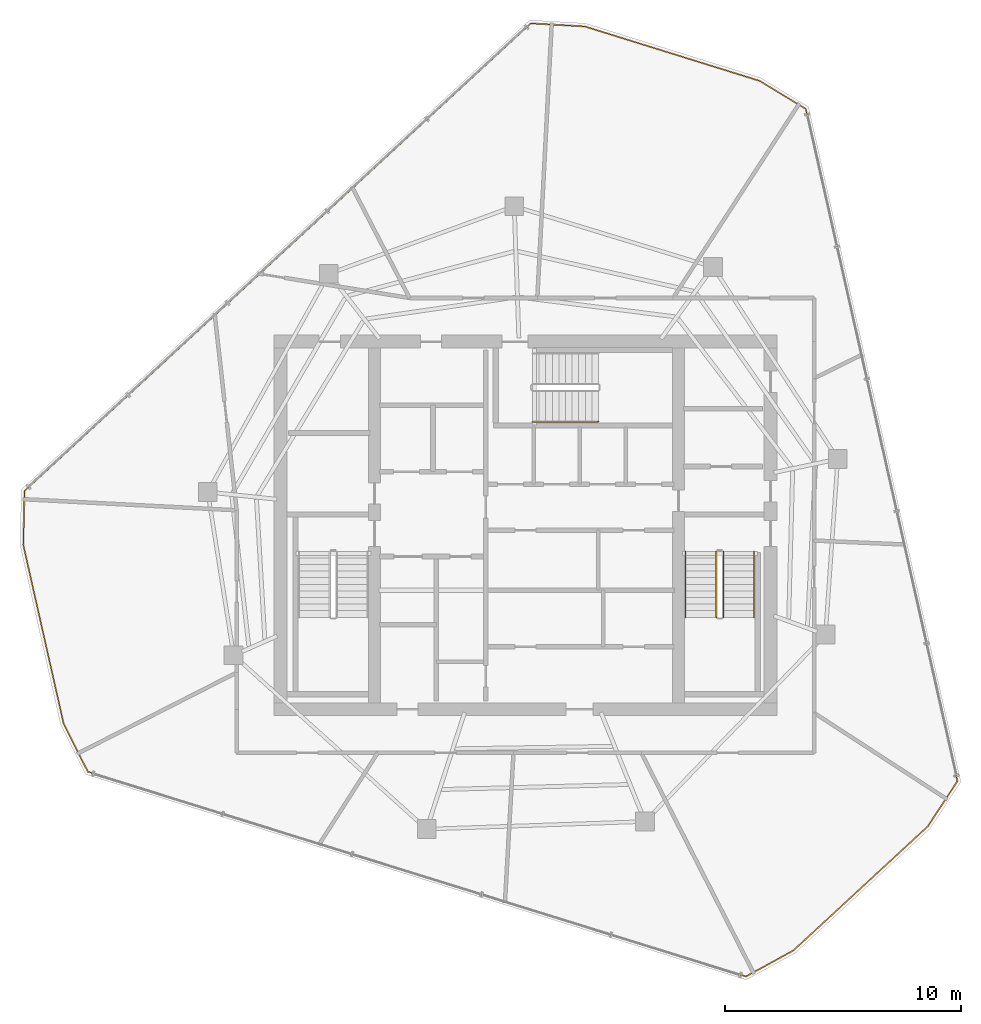
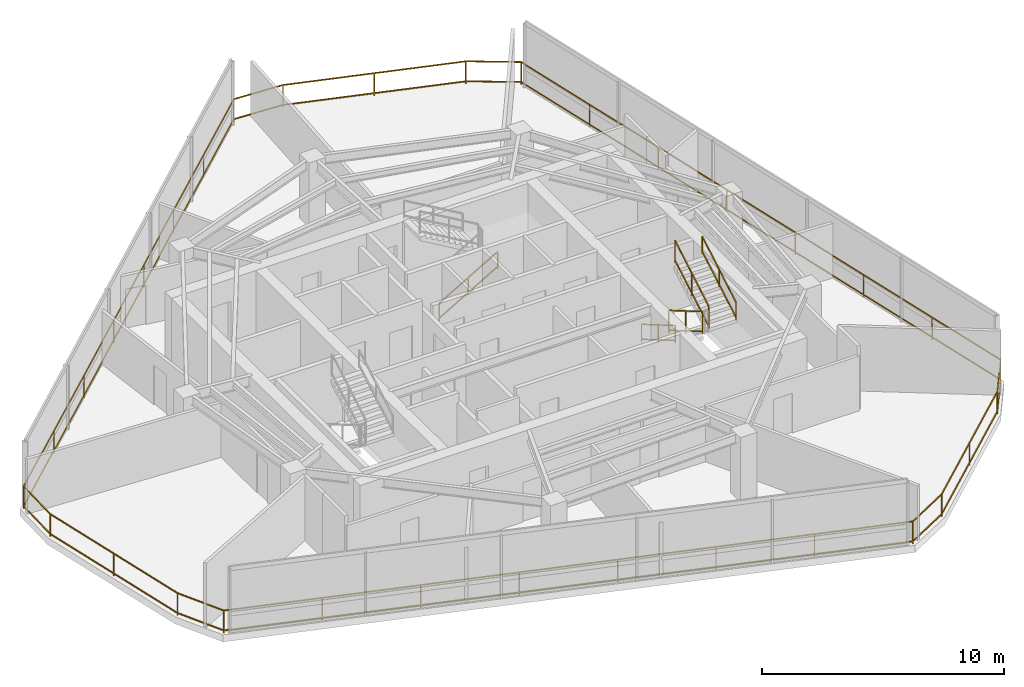
# One storey, part 18 of 19: 6 railings.
"""IFC4 building model written with IfcOpenShell, lengths in metres."""

from ifc_helpers import new_model, si_unit, direction, frame, origin, origin_2d, place, context, subcontext, project, spatial, rectangle, extrude, material, type_object, element, save


model = new_model("IFC4")

# Units and contexts
model_context = context("Model", 3, precision=1e-05, world=origin(), true_north=direction((0.0, 1.0)))
body_context = subcontext(model_context, "Body", "Model", "MODEL_VIEW")
ifc_project = project(units=[si_unit("LENGTHUNIT", "METRE"), si_unit("AREAUNIT", "SQUARE_METRE"), si_unit("VOLUMEUNIT", "CUBIC_METRE"), si_unit("PLANEANGLEUNIT", "RADIAN"), si_unit("MASSUNIT", "GRAM", prefix="KILO")], contexts=[model_context])

# Site, building, storey
site_placement = place(None, origin())
site = spatial("IfcSite", under=ifc_project, at=site_placement, CompositionType="ELEMENT")
building_placement = place(site_placement, origin())
building = spatial("IfcBuilding", under=site, at=building_placement, Name="Qarnah Convention Tower", CompositionType="ELEMENT")
storey_placement = place(building_placement, frame((0.0, 0.0, 228.300048828125)))
storey = spatial("IfcBuildingStorey", under=building, at=storey_placement, Name="L61", CompositionType="ELEMENT", Elevation=228.300048828125)

# Railings
ifc_material_1 = material(Name="Black anodised aluminium", Category="aluminium")
railing_type_1 = type_object("IfcRailingType", Name="RL-EXT-GUARD-1150", PredefinedType="GUARDRAIL", material=ifc_material_1)
railing_1_placement = place(storey_placement, frame((39.719970703125, 47.570068359375, 0.0)))
element("IfcRailing", 1, at=railing_1_placement, inside=storey, type_object=railing_type_1, Name="L61 slab-edge perimeter safety guard 01", PredefinedType="GUARDRAIL", context=body_context, shape_type="SweptSolid", body=[
    extrude(rectangle(XDim=0.048095703125, YDim=0.048095703125, at=origin_2d()), frame((0.0, 0.0, 1.1259765625), z_axis=(0.954873027499, -0.297014311702, 0.0), x_axis=(0.297014311702, 0.954873027499, 0.0)), (0.0, 0.0, 1.0), 7.764404296875),
    extrude(rectangle(XDim=0.048095703125, YDim=0.048095703125, at=origin_2d()), frame((0.0, 0.0, 0.1201171875), z_axis=(0.954873027499, -0.297014311702, 0.0), x_axis=(0.297014311702, 0.954873027499, 0.0)), (0.0, 0.0, 1.0), 7.764404296875),
    extrude(rectangle(XDim=0.048095703125, YDim=0.048095703125, at=origin_2d()), frame((7.4140625, -2.30615234375, 1.1259765625), z_axis=(0.85467949229, -0.519156012639, 0.0), x_axis=(0.519156012639, 0.85467949229, 0.0)), (0.0, 0.0, 1.0), 2.2919921875),
    extrude(rectangle(XDim=0.048095703125, YDim=0.048095703125, at=origin_2d()), frame((7.4140625, -2.30615234375, 0.1201171875), z_axis=(0.85467949229, -0.519156012639, 0.0), x_axis=(0.519156012639, 0.85467949229, 0.0)), (0.0, 0.0, 1.0), 2.2919921875),
    extrude(rectangle(XDim=0.048095703125, YDim=0.048095703125, at=origin_2d()), frame((9.373046875, -3.49609375, 1.1259765625), z_axis=(0.220152222722, -0.975465529289, 0.0), x_axis=(0.975465529289, 0.220152222722, 0.0)), (0.0, 0.0, 1.0), 29.243408203125),
    extrude(rectangle(XDim=0.048095703125, YDim=0.048095703125, at=origin_2d()), frame((9.373046875, -3.49609375, 0.1201171875), z_axis=(0.220152222722, -0.975465529289, 0.0), x_axis=(0.975465529289, 0.220152222722, 0.0)), (0.0, 0.0, 1.0), 29.243408203125),
    extrude(rectangle(XDim=0.048095703125, YDim=0.048095703125, at=origin_2d()), frame((15.81103515625, -32.02197265625, 1.1259765625), z_axis=(-0.548563353827, -0.8361089922, 0.0), x_axis=(0.8361089922, -0.548563353827, 0.0)), (0.0, 0.0, 1.0), 2.29150390625),
    extrude(rectangle(XDim=0.048095703125, YDim=0.048095703125, at=origin_2d()), frame((15.81103515625, -32.02197265625, 0.1201171875), z_axis=(-0.548563353827, -0.8361089922, 0.0), x_axis=(0.8361089922, -0.548563353827, 0.0)), (0.0, 0.0, 1.0), 2.29150390625),
    extrude(rectangle(XDim=0.048095703125, YDim=0.048095703125, at=origin_2d()), frame((14.553955078125, -33.93798828125, 1.1259765625), z_axis=(-0.73467563778, -0.678418533984, 0.0), x_axis=(0.678418533984, -0.73467563778, 0.0)), (0.0, 0.0, 1.0), 7.763671875),
    extrude(rectangle(XDim=0.048095703125, YDim=0.048095703125, at=origin_2d()), frame((14.553955078125, -33.93798828125, 0.1201171875), z_axis=(-0.73467563778, -0.678418533984, 0.0), x_axis=(0.678418533984, -0.73467563778, 0.0)), (0.0, 0.0, 1.0), 7.763671875),
    extrude(rectangle(XDim=0.048095703125, YDim=0.048095703125, at=origin_2d()), frame((8.85009765625, -39.205078125, 1.1259765625), z_axis=(-0.876851514222, -0.480761294206, 0.0), x_axis=(0.480761294206, -0.876851514222, 0.0)), (0.0, 0.0, 1.0), 2.292236328125),
    extrude(rectangle(XDim=0.048095703125, YDim=0.048095703125, at=origin_2d()), frame((8.85009765625, -39.205078125, 0.1201171875), z_axis=(-0.876851514222, -0.480761294206, 0.0), x_axis=(0.480761294206, -0.876851514222, 0.0)), (0.0, 0.0, 1.0), 2.292236328125),
    extrude(rectangle(XDim=0.048095703125, YDim=0.048095703125, at=origin_2d()), frame((6.840087890625, -40.30712890625, 1.1259765625), z_axis=(-0.954861407098, 0.29705166762, 0.0), x_axis=(-0.29705166762, -0.954861407098, 0.0)), (0.0, 0.0, 1.0), 29.244140625),
    extrude(rectangle(XDim=0.048095703125, YDim=0.048095703125, at=origin_2d()), frame((6.840087890625, -40.30712890625, 0.1201171875), z_axis=(-0.954861407098, 0.29705166762, 0.0), x_axis=(-0.29705166762, -0.954861407098, 0.0)), (0.0, 0.0, 1.0), 29.244140625),
    extrude(rectangle(XDim=0.048095703125, YDim=0.048095703125, at=origin_2d()), frame((-21.083984375, -31.6201171875, 1.1259765625), z_axis=(-0.449470709435, 0.893295069593, 0.0), x_axis=(-0.893295069593, -0.449470709435, 0.0)), (0.0, 0.0, 1.0), 2.291748046875),
    extrude(rectangle(XDim=0.048095703125, YDim=0.048095703125, at=origin_2d()), frame((-21.083984375, -31.6201171875, 0.1201171875), z_axis=(-0.449470709435, 0.893295069593, 0.0), x_axis=(-0.893295069593, -0.449470709435, 0.0)), (0.0, 0.0, 1.0), 2.291748046875),
    extrude(rectangle(XDim=0.048095703125, YDim=0.048095703125, at=origin_2d()), frame((-22.114013671875, -29.572998046875, 1.1259765625), z_axis=(-0.220225163507, 0.975449064461, 0.0), x_axis=(-0.975449064461, -0.220225163507, 0.0)), (0.0, 0.0, 1.0), 7.7646484375),
    extrude(rectangle(XDim=0.048095703125, YDim=0.048095703125, at=origin_2d()), frame((-22.114013671875, -29.572998046875, 0.1201171875), z_axis=(-0.220225163507, 0.975449064461, 0.0), x_axis=(-0.975449064461, -0.220225163507, 0.0)), (0.0, 0.0, 1.0), 7.7646484375),
    extrude(rectangle(XDim=0.048095703125, YDim=0.048095703125, at=origin_2d()), frame((-23.823974609375, -21.9990234375, 1.1259765625), z_axis=(0.022702036748, 0.999742275553, 0.0), x_axis=(-0.999742275553, 0.022702036748, 0.0)), (0.0, 0.0, 1.0), 2.29052734375),
    extrude(rectangle(XDim=0.048095703125, YDim=0.048095703125, at=origin_2d()), frame((-23.823974609375, -21.9990234375, 0.1201171875), z_axis=(0.022702036748, 0.999742275553, 0.0), x_axis=(-0.999742275553, 0.022702036748, 0.0)), (0.0, 0.0, 1.0), 2.29052734375),
    extrude(rectangle(XDim=0.048095703125, YDim=0.048095703125, at=origin_2d()), frame((-23.77197265625, -19.708984375, 1.1259765625), z_axis=(0.734640830127, 0.678456226082, 0.0), x_axis=(-0.678456226082, 0.734640830127, 0.0)), (0.0, 0.0, 1.0), 29.244140625),
    extrude(rectangle(XDim=0.048095703125, YDim=0.048095703125, at=origin_2d()), frame((-23.77197265625, -19.708984375, 0.1201171875), z_axis=(0.734640830127, 0.678456226082, 0.0), x_axis=(-0.678456226082, 0.734640830127, 0.0)), (0.0, 0.0, 1.0), 29.244140625),
    extrude(rectangle(XDim=0.048095703125, YDim=0.048095703125, at=origin_2d()), frame((-2.2880859375, 0.1318359375, 1.1259765625), z_axis=(0.998344179518, -0.05752303211, 0.0), x_axis=(0.05752303211, 0.998344179518, 0.0)), (0.0, 0.0, 1.0), 2.2919921875),
    extrude(rectangle(XDim=0.048095703125, YDim=0.048095703125, at=origin_2d()), frame((-2.2880859375, 0.1318359375, 0.1201171875), z_axis=(0.998344179518, -0.05752303211, 0.0), x_axis=(0.05752303211, 0.998344179518, 0.0)), (0.0, 0.0, 1.0), 2.2919921875),
    extrude(rectangle(XDim=0.0419921875, YDim=0.0419921875, at=origin_2d()), origin(), (0.0, 0.0, 1.0), 1.101806640625),
    extrude(rectangle(XDim=0.0419921875, YDim=0.0419921875, at=origin_2d()), frame((3.70703125, -1.153076171875, 0.0)), (0.0, 0.0, 1.0), 1.101806640625),
    extrude(rectangle(XDim=0.0419921875, YDim=0.0419921875, at=origin_2d()), frame((7.4140625, -2.30615234375, 0.0)), (0.0, 0.0, 1.0), 1.101806640625),
    extrude(rectangle(XDim=0.0419921875, YDim=0.0419921875, at=origin_2d()), frame((9.373046875, -3.49609375, 0.0)), (0.0, 0.0, 1.0), 1.101806640625),
    extrude(rectangle(XDim=0.0419921875, YDim=0.0419921875, at=origin_2d()), frame((10.292724609375, -7.5712890625, 0.0)), (0.0, 0.0, 1.0), 1.101806640625),
    extrude(rectangle(XDim=0.0419921875, YDim=0.0419921875, at=origin_2d()), frame((11.21240234375, -11.646240234375, 0.0)), (0.0, 0.0, 1.0), 1.101806640625),
    extrude(rectangle(XDim=0.0419921875, YDim=0.0419921875, at=origin_2d()), frame((12.132080078125, -15.721435546875, 0.0)), (0.0, 0.0, 1.0), 1.101806640625),
    extrude(rectangle(XDim=0.0419921875, YDim=0.0419921875, at=origin_2d()), frame((13.052001953125, -19.796630859375, 0.0)), (0.0, 0.0, 1.0), 1.101806640625),
    extrude(rectangle(XDim=0.0419921875, YDim=0.0419921875, at=origin_2d()), frame((13.9716796875, -23.871826171875, 0.0)), (0.0, 0.0, 1.0), 1.101806640625),
    extrude(rectangle(XDim=0.0419921875, YDim=0.0419921875, at=origin_2d()), frame((14.891357421875, -27.94677734375, 0.0)), (0.0, 0.0, 1.0), 1.101806640625),
    extrude(rectangle(XDim=0.0419921875, YDim=0.0419921875, at=origin_2d()), frame((15.81103515625, -32.02197265625, 0.0)), (0.0, 0.0, 1.0), 1.101806640625),
    extrude(rectangle(XDim=0.0419921875, YDim=0.0419921875, at=origin_2d()), frame((14.553955078125, -33.93798828125, 0.0)), (0.0, 0.0, 1.0), 1.101806640625),
    extrude(rectangle(XDim=0.0419921875, YDim=0.0419921875, at=origin_2d()), frame((11.7021484375, -36.571533203125, 0.0)), (0.0, 0.0, 1.0), 1.101806640625),
    extrude(rectangle(XDim=0.0419921875, YDim=0.0419921875, at=origin_2d()), frame((8.85009765625, -39.205078125, 0.0)), (0.0, 0.0, 1.0), 1.101806640625),
    extrude(rectangle(XDim=0.0419921875, YDim=0.0419921875, at=origin_2d()), frame((6.840087890625, -40.30712890625, 0.0)), (0.0, 0.0, 1.0), 1.101806640625),
    extrude(rectangle(XDim=0.0419921875, YDim=0.0419921875, at=origin_2d()), frame((2.850830078125, -39.066162109375, 0.0)), (0.0, 0.0, 1.0), 1.101806640625),
    extrude(rectangle(XDim=0.0419921875, YDim=0.0419921875, at=origin_2d()), frame((-1.13818359375, -37.8251953125, 0.0)), (0.0, 0.0, 1.0), 1.101806640625),
    extrude(rectangle(XDim=0.0419921875, YDim=0.0419921875, at=origin_2d()), frame((-5.12744140625, -36.584228515625, 0.0)), (0.0, 0.0, 1.0), 1.101806640625),
    extrude(rectangle(XDim=0.0419921875, YDim=0.0419921875, at=origin_2d()), frame((-9.116455078125, -35.343017578125, 0.0)), (0.0, 0.0, 1.0), 1.101806640625),
    extrude(rectangle(XDim=0.0419921875, YDim=0.0419921875, at=origin_2d()), frame((-13.105712890625, -34.10205078125, 0.0)), (0.0, 0.0, 1.0), 1.101806640625),
    extrude(rectangle(XDim=0.0419921875, YDim=0.0419921875, at=origin_2d()), frame((-17.0947265625, -32.861083984375, 0.0)), (0.0, 0.0, 1.0), 1.101806640625),
    extrude(rectangle(XDim=0.0419921875, YDim=0.0419921875, at=origin_2d()), frame((-21.083984375, -31.6201171875, 0.0)), (0.0, 0.0, 1.0), 1.101806640625),
    extrude(rectangle(XDim=0.0419921875, YDim=0.0419921875, at=origin_2d()), frame((-22.114013671875, -29.572998046875, 0.0)), (0.0, 0.0, 1.0), 1.101806640625),
    extrude(rectangle(XDim=0.0419921875, YDim=0.0419921875, at=origin_2d()), frame((-22.968994140625, -25.7861328125, 0.0)), (0.0, 0.0, 1.0), 1.101806640625),
    extrude(rectangle(XDim=0.0419921875, YDim=0.0419921875, at=origin_2d()), frame((-23.823974609375, -21.9990234375, 0.0)), (0.0, 0.0, 1.0), 1.101806640625),
    extrude(rectangle(XDim=0.0419921875, YDim=0.0419921875, at=origin_2d()), frame((-23.77197265625, -19.708984375, 0.0)), (0.0, 0.0, 1.0), 1.101806640625),
    extrude(rectangle(XDim=0.0419921875, YDim=0.0419921875, at=origin_2d()), frame((-20.702880859375, -16.87451171875, 0.0)), (0.0, 0.0, 1.0), 1.101806640625),
    extrude(rectangle(XDim=0.0419921875, YDim=0.0419921875, at=origin_2d()), frame((-17.6337890625, -14.040283203125, 0.0)), (0.0, 0.0, 1.0), 1.101806640625),
    extrude(rectangle(XDim=0.0419921875, YDim=0.0419921875, at=origin_2d()), frame((-14.564697265625, -11.205810546875, 0.0)), (0.0, 0.0, 1.0), 1.101806640625),
    extrude(rectangle(XDim=0.0419921875, YDim=0.0419921875, at=origin_2d()), frame((-11.495361328125, -8.371337890625, 0.0)), (0.0, 0.0, 1.0), 1.101806640625),
    extrude(rectangle(XDim=0.0419921875, YDim=0.0419921875, at=origin_2d()), frame((-8.42626953125, -5.536865234375, 0.0)), (0.0, 0.0, 1.0), 1.101806640625),
    extrude(rectangle(XDim=0.0419921875, YDim=0.0419921875, at=origin_2d()), frame((-5.357177734375, -2.70263671875, 0.0)), (0.0, 0.0, 1.0), 1.101806640625),
    extrude(rectangle(XDim=0.0419921875, YDim=0.0419921875, at=origin_2d()), frame((-2.2880859375, 0.1318359375, 0.0)), (0.0, 0.0, 1.0), 1.101806640625),
])
ifc_material_2 = material(Name="Structural steel S355JR", Category="steel")
railing_type_2 = type_object("IfcRailingType", Name="RL-STAIR-GUARD-1150", PredefinedType="GUARDRAIL", material=ifc_material_2)
railing_2_placement = place(storey_placement, frame((45.300048828125, 25.300048828125, 0.16357421875)))
element("IfcRailing", 2, at=railing_2_placement, inside=storey, type_object=railing_type_2, Name="L61 ST-2 stair guard 1", PredefinedType="GUARDRAIL", context=body_context, shape_type="SweptSolid", body=[
    extrude(rectangle(XDim=0.048095703125, YDim=0.048095703125, at=origin_2d()), frame((0.0, 0.0, 1.1259765625), z_axis=(0.0, -0.863360870873, 0.504586966384), x_axis=(1.0, 0.0, 0.0)), (0.0, 0.0, 1.0), 3.2431640625),
    extrude(rectangle(XDim=0.048095703125, YDim=0.048095703125, at=origin_2d()), frame((0.0, 0.0, 0.1201171875), z_axis=(0.0, -0.863360870873, 0.504586966384), x_axis=(1.0, 0.0, 0.0)), (0.0, 0.0, 1.0), 3.2431640625),
    extrude(rectangle(XDim=0.0419921875, YDim=0.0419921875, at=origin_2d()), origin(), (0.0, 0.0, 1.0), 1.101806640625),
    extrude(rectangle(XDim=0.0419921875, YDim=0.0419921875, at=origin_2d()), frame((0.0, -1.39990234375, 0.818359375)), (0.0, 0.0, 1.0), 1.101806640625),
    extrude(rectangle(XDim=0.0419921875, YDim=0.0419921875, at=origin_2d()), frame((0.0, -2.800048828125, 1.636474609375)), (0.0, 0.0, 1.0), 1.101806640625),
])
railing_3_placement = place(storey_placement, frame((45.60009765625, 22.5, 1.963623046875)))
element("IfcRailing", 3, at=railing_3_placement, inside=storey, type_object=railing_type_2, Name="L61 ST-2 stair guard 3", PredefinedType="GUARDRAIL", context=body_context, shape_type="SweptSolid", body=[
    extrude(rectangle(XDim=0.048095703125, YDim=0.048095703125, at=origin_2d()), frame((0.0, 0.0, 1.1259765625), z_axis=(0.0, 0.863393664356, 0.504530851732), x_axis=(-1.0, 0.0, 0.0)), (0.0, 0.0, 1.0), 3.2431640625),
    extrude(rectangle(XDim=0.048095703125, YDim=0.048095703125, at=origin_2d()), frame((0.0, 0.0, 0.1201171875), z_axis=(0.0, 0.863393664356, 0.504530851732), x_axis=(-1.0, 0.0, 0.0)), (0.0, 0.0, 1.0), 3.2431640625),
    extrude(rectangle(XDim=0.0419921875, YDim=0.0419921875, at=origin_2d()), origin(), (0.0, 0.0, 1.0), 1.101806640625),
    extrude(rectangle(XDim=0.0419921875, YDim=0.0419921875, at=origin_2d()), frame((0.0, 1.39990234375, 0.818115234375)), (0.0, 0.0, 1.0), 1.101806640625),
    extrude(rectangle(XDim=0.0419921875, YDim=0.0419921875, at=origin_2d()), frame((0.0, 2.800048828125, 1.63623046875)), (0.0, 0.0, 1.0), 1.101806640625),
])
railing_type_3 = type_object("IfcRailingType", Name="RL-STAIR-HAND-900", PredefinedType="HANDRAIL", material=ifc_material_2)
railing_4_placement = place(storey_placement, frame((44.0, 25.300048828125, 0.16357421875)))
element("IfcRailing", 4, at=railing_4_placement, inside=storey, type_object=railing_type_3, Name="L61 ST-2 stair handrail 1", PredefinedType="HANDRAIL", context=body_context, shape_type="SweptSolid", body=[
    extrude(rectangle(XDim=0.048095703125, YDim=0.048095703125, at=origin_2d()), frame((0.0, 0.0, 0.8759765625), z_axis=(0.0, -0.863360870873, 0.504586966384), x_axis=(1.0, 0.0, 0.0)), (0.0, 0.0, 1.0), 3.2431640625),
    extrude(rectangle(XDim=0.048095703125, YDim=0.048095703125, at=origin_2d()), frame((0.0, 0.0, 0.1201171875), z_axis=(0.0, -0.863360870873, 0.504586966384), x_axis=(1.0, 0.0, 0.0)), (0.0, 0.0, 1.0), 3.2431640625),
    extrude(rectangle(XDim=0.0419921875, YDim=0.0419921875, at=origin_2d()), origin(), (0.0, 0.0, 1.0), 0.851806640625),
    extrude(rectangle(XDim=0.0419921875, YDim=0.0419921875, at=origin_2d()), frame((0.0, -1.39990234375, 0.818359375)), (0.0, 0.0, 1.0), 0.851806640625),
    extrude(rectangle(XDim=0.0419921875, YDim=0.0419921875, at=origin_2d()), frame((0.0, -2.800048828125, 1.636474609375)), (0.0, 0.0, 1.0), 0.851806640625),
])
railing_5_placement = place(storey_placement, frame((46.89990234375, 22.5, 1.963623046875)))
element("IfcRailing", 5, at=railing_5_placement, inside=storey, type_object=railing_type_3, Name="L61 ST-2 stair handrail 2", PredefinedType="HANDRAIL", context=body_context, shape_type="SweptSolid", body=[
    extrude(rectangle(XDim=0.048095703125, YDim=0.048095703125, at=origin_2d()), frame((0.0, 0.0, 0.8759765625), z_axis=(0.0, 0.863393664356, 0.504530851732), x_axis=(-1.0, 0.0, 0.0)), (0.0, 0.0, 1.0), 3.2431640625),
    extrude(rectangle(XDim=0.048095703125, YDim=0.048095703125, at=origin_2d()), frame((0.0, 0.0, 0.1201171875), z_axis=(0.0, 0.863393664356, 0.504530851732), x_axis=(-1.0, 0.0, 0.0)), (0.0, 0.0, 1.0), 3.2431640625),
    extrude(rectangle(XDim=0.0419921875, YDim=0.0419921875, at=origin_2d()), origin(), (0.0, 0.0, 1.0), 0.851806640625),
    extrude(rectangle(XDim=0.0419921875, YDim=0.0419921875, at=origin_2d()), frame((0.0, 1.39990234375, 0.818115234375)), (0.0, 0.0, 1.0), 0.851806640625),
    extrude(rectangle(XDim=0.0419921875, YDim=0.0419921875, at=origin_2d()), frame((0.0, 2.800048828125, 1.63623046875)), (0.0, 0.0, 1.0), 0.851806640625),
])
railing_6_placement = place(storey_placement, frame((37.5, 30.800048828125, 0.16357421875)))
element("IfcRailing", 6, at=railing_6_placement, inside=storey, type_object=railing_type_3, Name="L61 ST-3 stair handrail 1", PredefinedType="HANDRAIL", context=body_context, shape_type="SweptSolid", body=[
    extrude(rectangle(XDim=0.048095703125, YDim=0.048095703125, at=origin_2d()), frame((0.0, 0.0, 0.8759765625), z_axis=(0.863360870873, 0.0, 0.504586966384), x_axis=(0.0, 1.0, 0.0)), (0.0, 0.0, 1.0), 3.2431640625),
    extrude(rectangle(XDim=0.048095703125, YDim=0.048095703125, at=origin_2d()), frame((0.0, 0.0, 0.1201171875), z_axis=(0.863360870873, 0.0, 0.504586966384), x_axis=(0.0, 1.0, 0.0)), (0.0, 0.0, 1.0), 3.2431640625),
    extrude(rectangle(XDim=0.0419921875, YDim=0.0419921875, at=origin_2d()), origin(), (0.0, 0.0, 1.0), 0.851806640625),
    extrude(rectangle(XDim=0.0419921875, YDim=0.0419921875, at=origin_2d()), frame((1.39990234375, 0.0, 0.818359375)), (0.0, 0.0, 1.0), 0.851806640625),
    extrude(rectangle(XDim=0.0419921875, YDim=0.0419921875, at=origin_2d()), frame((2.800048828125, 0.0, 1.636474609375)), (0.0, 0.0, 1.0), 0.851806640625),
])

save(model, "model.ifc")
